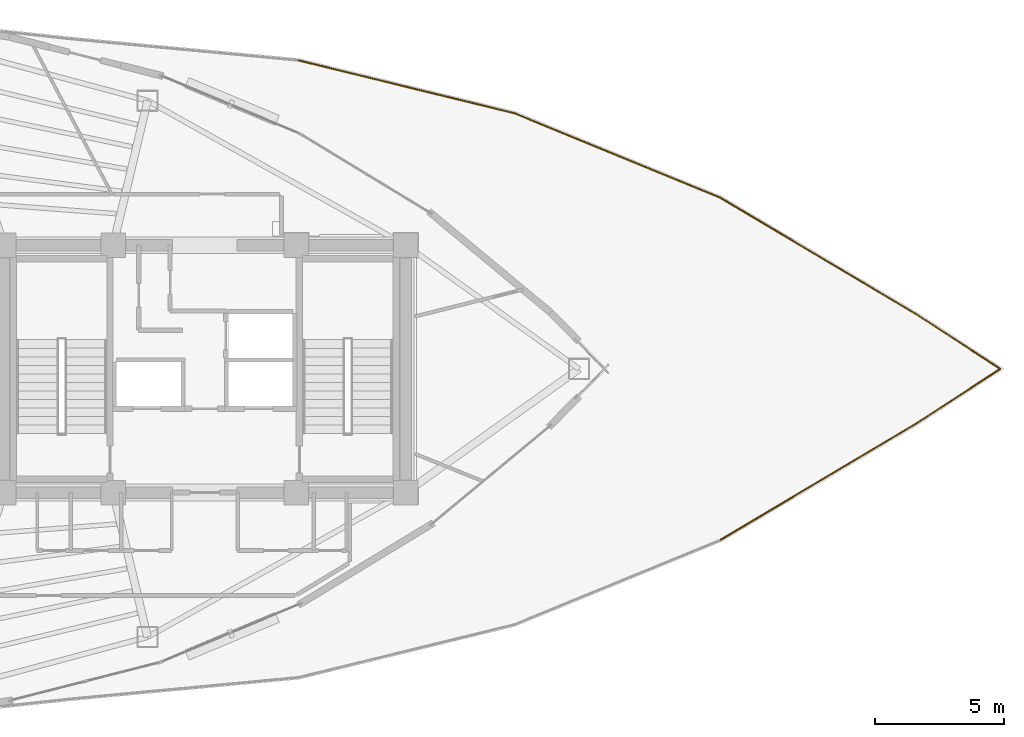
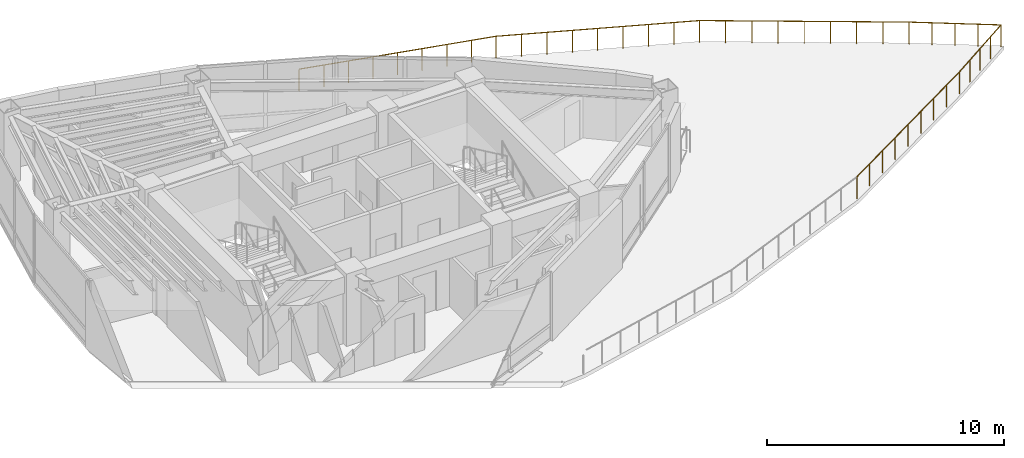
# One storey, part 16 of 16: 6 railings.
"""IFC4 building model written with IfcOpenShell, lengths in metres."""

from ifc_helpers import new_model, si_unit, direction, frame, origin, origin_2d, place, context, subcontext, project, spatial, circle, extrude, material, type_object, element, save


model = new_model("IFC4")

# Units and contexts
model_context = context("Model", 3, precision=1e-05, world=origin(), true_north=direction((0.0, 1.0)))
body_context = subcontext(model_context, "Body", "Model", "MODEL_VIEW")
ifc_project = project(units=[si_unit("LENGTHUNIT", "METRE"), si_unit("AREAUNIT", "SQUARE_METRE"), si_unit("VOLUMEUNIT", "CUBIC_METRE"), si_unit("PLANEANGLEUNIT", "RADIAN"), si_unit("MASSUNIT", "GRAM", prefix="KILO")], contexts=[model_context])

# Site, building, storey
site_placement = place(None, origin())
site = spatial("IfcSite", under=ifc_project, at=site_placement, CompositionType="ELEMENT")
building_placement = place(site_placement, origin())
building = spatial("IfcBuilding", under=site, at=building_placement, Name="Menara Vayukalpa", CompositionType="ELEMENT")
storey_placement = place(building_placement, frame((0.0, 0.0, 247.139892578125)))
storey = spatial("IfcBuildingStorey", under=building, at=storey_placement, Name="L62", CompositionType="ELEMENT", Elevation=247.139892578125)

# Railings
ifc_material = material(Name="Laminated Glass and Stainless Steel 316 Guardrail", Category="steel")
railing_type = type_object("IfcRailingType", Name="RLG-EXT115", PredefinedType="GUARDRAIL", material=ifc_material)
railing_1_placement = place(storey_placement, frame((29.2373046875, 33.970703125, 0.0)))
element("IfcRailing", 1, at=railing_1_placement, inside=storey, type_object=railing_type, Name="L62 Sky Terrace Perimeter Guardrail 03", PredefinedType="GUARDRAIL", context=body_context, shape_type="SweptSolid", body=[
    extrude(circle(Radius=0.02392578125, at=origin_2d()), frame((0.0, 0.0, 1.1259765625), z_axis=(0.971315824819, -0.237793121128, 0.0), x_axis=(0.237793121128, 0.971315824819, 0.0)), (0.0, 0.0, 1.0), 8.6416015625),
    extrude(circle(Radius=0.02099609375, at=origin_2d()), origin(), (0.0, 0.0, 1.0), 1.101806640625),
    extrude(circle(Radius=0.02099609375, at=origin_2d()), frame((1.04931640625, -0.2568359375, 0.0)), (0.0, 0.0, 1.0), 1.101806640625),
    extrude(circle(Radius=0.02099609375, at=origin_2d()), frame((2.098388671875, -0.513671875, 0.0)), (0.0, 0.0, 1.0), 1.101806640625),
    extrude(circle(Radius=0.02099609375, at=origin_2d()), frame((3.147705078125, -0.7705078125, 0.0)), (0.0, 0.0, 1.0), 1.101806640625),
    extrude(circle(Radius=0.02099609375, at=origin_2d()), frame((4.19677734375, -1.02734375, 0.0)), (0.0, 0.0, 1.0), 1.101806640625),
    extrude(circle(Radius=0.02099609375, at=origin_2d()), frame((5.24609375, -1.284423828125, 0.0)), (0.0, 0.0, 1.0), 1.101806640625),
    extrude(circle(Radius=0.02099609375, at=origin_2d()), frame((6.29541015625, -1.541259765625, 0.0)), (0.0, 0.0, 1.0), 1.101806640625),
    extrude(circle(Radius=0.02099609375, at=origin_2d()), frame((7.344482421875, -1.798095703125, 0.0)), (0.0, 0.0, 1.0), 1.101806640625),
    extrude(circle(Radius=0.02099609375, at=origin_2d()), frame((8.393798828125, -2.054931640625, 0.0)), (0.0, 0.0, 1.0), 1.101806640625),
])
railing_2_placement = place(storey_placement, frame((37.631103515625, 31.915771484375, 0.0)))
element("IfcRailing", 2, at=railing_2_placement, inside=storey, type_object=railing_type, Name="L62 Sky Terrace Perimeter Guardrail 04", PredefinedType="GUARDRAIL", context=body_context, shape_type="SweptSolid", body=[
    extrude(circle(Radius=0.02392578125, at=origin_2d()), frame((0.0, 0.0, 1.1259765625), z_axis=(0.924972119386, -0.380034969915, 0.0), x_axis=(0.380034969915, 0.924972119386, 0.0)), (0.0, 0.0, 1.0), 8.641845703125),
    extrude(circle(Radius=0.02099609375, at=origin_2d()), origin(), (0.0, 0.0, 1.0), 1.101806640625),
    extrude(circle(Radius=0.02099609375, at=origin_2d()), frame((0.999267578125, -0.41064453125, 0.0)), (0.0, 0.0, 1.0), 1.101806640625),
    extrude(circle(Radius=0.02099609375, at=origin_2d()), frame((1.998291015625, -0.821044921875, 0.0)), (0.0, 0.0, 1.0), 1.101806640625),
    extrude(circle(Radius=0.02099609375, at=origin_2d()), frame((2.99755859375, -1.2314453125, 0.0)), (0.0, 0.0, 1.0), 1.101806640625),
    extrude(circle(Radius=0.02099609375, at=origin_2d()), frame((3.99658203125, -1.64208984375, 0.0)), (0.0, 0.0, 1.0), 1.101806640625),
    extrude(circle(Radius=0.02099609375, at=origin_2d()), frame((4.995849609375, -2.052734375, 0.0)), (0.0, 0.0, 1.0), 1.101806640625),
    extrude(circle(Radius=0.02099609375, at=origin_2d()), frame((5.9951171875, -2.463134765625, 0.0)), (0.0, 0.0, 1.0), 1.101806640625),
    extrude(circle(Radius=0.02099609375, at=origin_2d()), frame((6.994140625, -2.87353515625, 0.0)), (0.0, 0.0, 1.0), 1.101806640625),
    extrude(circle(Radius=0.02099609375, at=origin_2d()), frame((7.993408203125, -3.2841796875, 0.0)), (0.0, 0.0, 1.0), 1.101806640625),
])
railing_3_placement = place(storey_placement, frame((45.62451171875, 28.631591796875, 0.0)))
element("IfcRailing", 3, at=railing_3_placement, inside=storey, type_object=railing_type, Name="L62 Sky Terrace Perimeter Guardrail 05", PredefinedType="GUARDRAIL", context=body_context, shape_type="SweptSolid", body=[
    extrude(circle(Radius=0.02392578125, at=origin_2d()), frame((0.0, 0.0, 1.1259765625), z_axis=(0.859601478948, -0.510965064746, 0.0), x_axis=(0.510965064746, 0.859601478948, 0.0)), (0.0, 0.0, 1.0), 8.83740234375),
    extrude(circle(Radius=0.02099609375, at=origin_2d()), origin(), (0.0, 0.0, 1.0), 1.101806640625),
    extrude(circle(Radius=0.02099609375, at=origin_2d()), frame((0.94970703125, -0.564453125, 0.0)), (0.0, 0.0, 1.0), 1.101806640625),
    extrude(circle(Radius=0.02099609375, at=origin_2d()), frame((1.899169921875, -1.12890625, 0.0)), (0.0, 0.0, 1.0), 1.101806640625),
    extrude(circle(Radius=0.02099609375, at=origin_2d()), frame((2.8486328125, -1.693359375, 0.0)), (0.0, 0.0, 1.0), 1.101806640625),
    extrude(circle(Radius=0.02099609375, at=origin_2d()), frame((3.79833984375, -2.2578125, 0.0)), (0.0, 0.0, 1.0), 1.101806640625),
    extrude(circle(Radius=0.02099609375, at=origin_2d()), frame((4.748046875, -2.822265625, 0.0)), (0.0, 0.0, 1.0), 1.101806640625),
    extrude(circle(Radius=0.02099609375, at=origin_2d()), frame((5.697509765625, -3.38671875, 0.0)), (0.0, 0.0, 1.0), 1.101806640625),
    extrude(circle(Radius=0.02099609375, at=origin_2d()), frame((6.64697265625, -3.951171875, 0.0)), (0.0, 0.0, 1.0), 1.101806640625),
    extrude(circle(Radius=0.02099609375, at=origin_2d()), frame((7.5966796875, -4.515625, 0.0)), (0.0, 0.0, 1.0), 1.101806640625),
])
railing_4_placement = place(storey_placement, frame((53.22119140625, 24.115966796875, 0.0)))
element("IfcRailing", 4, at=railing_4_placement, inside=storey, type_object=railing_type, Name="L62 Sky Terrace Perimeter Guardrail 06", PredefinedType="GUARDRAIL", context=body_context, shape_type="SweptSolid", body=[
    extrude(circle(Radius=0.02392578125, at=origin_2d()), frame((0.0, 0.0, 1.1259765625), z_axis=(0.837809796853, -0.545962218746, 0.0), x_axis=(0.545962218746, 0.837809796853, 0.0)), (0.0, 0.0, 1.0), 3.875732421875),
    extrude(circle(Radius=0.02099609375, at=origin_2d()), origin(), (0.0, 0.0, 1.0), 1.101806640625),
    extrude(circle(Radius=0.02099609375, at=origin_2d()), frame((0.811767578125, -0.529052734375, 0.0)), (0.0, 0.0, 1.0), 1.101806640625),
    extrude(circle(Radius=0.02099609375, at=origin_2d()), frame((1.62353515625, -1.05810546875, 0.0)), (0.0, 0.0, 1.0), 1.101806640625),
    extrude(circle(Radius=0.02099609375, at=origin_2d()), frame((2.435302734375, -1.5869140625, 0.0)), (0.0, 0.0, 1.0), 1.101806640625),
    extrude(circle(Radius=0.02099609375, at=origin_2d()), frame((3.2470703125, -2.115966796875, 0.0)), (0.0, 0.0, 1.0), 1.101806640625),
])
railing_5_placement = place(storey_placement, frame((56.46826171875, 22.0, 0.0)))
element("IfcRailing", 5, at=railing_5_placement, inside=storey, type_object=railing_type, Name="L62 Sky Terrace Perimeter Guardrail 07", PredefinedType="GUARDRAIL", context=body_context, shape_type="SweptSolid", body=[
    extrude(circle(Radius=0.02392578125, at=origin_2d()), frame((0.0, 0.0, 1.1259765625), z_axis=(-0.837809796853, -0.545962218746, 0.0), x_axis=(0.545962218746, -0.837809796853, 0.0)), (0.0, 0.0, 1.0), 3.875732421875),
    extrude(circle(Radius=0.02099609375, at=origin_2d()), origin(), (0.0, 0.0, 1.0), 1.101806640625),
    extrude(circle(Radius=0.02099609375, at=origin_2d()), frame((-0.811767578125, -0.529052734375, 0.0)), (0.0, 0.0, 1.0), 1.101806640625),
    extrude(circle(Radius=0.02099609375, at=origin_2d()), frame((-1.62353515625, -1.05810546875, 0.0)), (0.0, 0.0, 1.0), 1.101806640625),
    extrude(circle(Radius=0.02099609375, at=origin_2d()), frame((-2.435302734375, -1.5869140625, 0.0)), (0.0, 0.0, 1.0), 1.101806640625),
    extrude(circle(Radius=0.02099609375, at=origin_2d()), frame((-3.2470703125, -2.115966796875, 0.0)), (0.0, 0.0, 1.0), 1.101806640625),
])
railing_6_placement = place(storey_placement, frame((53.22119140625, 19.884033203125, 0.0)))
element("IfcRailing", 6, at=railing_6_placement, inside=storey, type_object=railing_type, Name="L62 Sky Terrace Perimeter Guardrail 08", PredefinedType="GUARDRAIL", context=body_context, shape_type="SweptSolid", body=[
    extrude(circle(Radius=0.02392578125, at=origin_2d()), frame((0.0, 0.0, 1.1259765625), z_axis=(-0.859601478948, -0.510965064746, 0.0), x_axis=(0.510965064746, -0.859601478948, 0.0)), (0.0, 0.0, 1.0), 8.83740234375),
    extrude(circle(Radius=0.02099609375, at=origin_2d()), origin(), (0.0, 0.0, 1.0), 1.101806640625),
    extrude(circle(Radius=0.02099609375, at=origin_2d()), frame((-0.94970703125, -0.564453125, 0.0)), (0.0, 0.0, 1.0), 1.101806640625),
    extrude(circle(Radius=0.02099609375, at=origin_2d()), frame((-1.899169921875, -1.12890625, 0.0)), (0.0, 0.0, 1.0), 1.101806640625),
    extrude(circle(Radius=0.02099609375, at=origin_2d()), frame((-2.8486328125, -1.693359375, 0.0)), (0.0, 0.0, 1.0), 1.101806640625),
    extrude(circle(Radius=0.02099609375, at=origin_2d()), frame((-3.79833984375, -2.2578125, 0.0)), (0.0, 0.0, 1.0), 1.101806640625),
    extrude(circle(Radius=0.02099609375, at=origin_2d()), frame((-4.748046875, -2.822265625, 0.0)), (0.0, 0.0, 1.0), 1.101806640625),
    extrude(circle(Radius=0.02099609375, at=origin_2d()), frame((-5.697509765625, -3.38671875, 0.0)), (0.0, 0.0, 1.0), 1.101806640625),
    extrude(circle(Radius=0.02099609375, at=origin_2d()), frame((-6.64697265625, -3.951171875, 0.0)), (0.0, 0.0, 1.0), 1.101806640625),
    extrude(circle(Radius=0.02099609375, at=origin_2d()), frame((-7.5966796875, -4.515625, 0.0)), (0.0, 0.0, 1.0), 1.101806640625),
])

save(model, "model.ifc")
